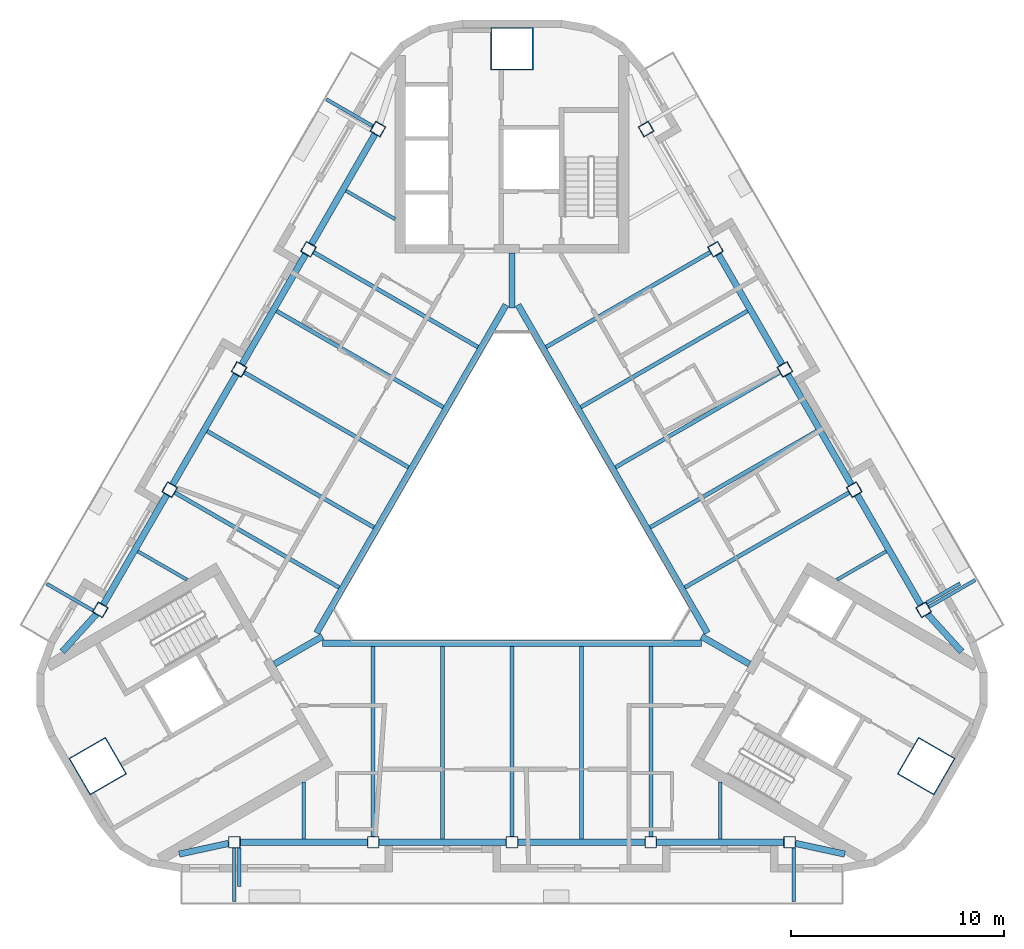
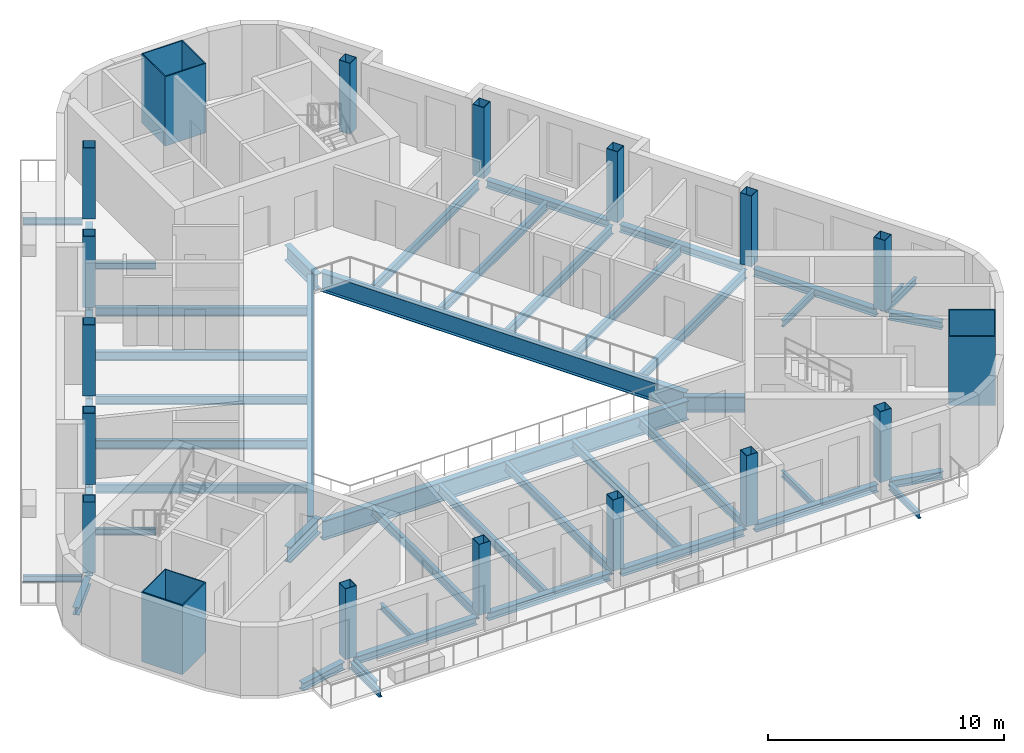
# One storey, part 1 of 11: 48 beams, 18 columns.
"""IFC4 building model written with IfcOpenShell, lengths in metres."""

from ifc_helpers import new_model, si_unit, direction, frame, origin, origin_2d, place, context, subcontext, project, spatial, rectangle, hollow_rectangle, i_section, extrude, boolean, halfspace, material, material_profile, profile_set, type_object, element, save


model = new_model("IFC4")

# Units and contexts
model_context = context("Model", 3, precision=1e-05, world=origin(), true_north=direction((0.0, 1.0)))
body_context = subcontext(model_context, "Body", "Model", "MODEL_VIEW")
ifc_project = project(units=[si_unit("LENGTHUNIT", "METRE"), si_unit("AREAUNIT", "SQUARE_METRE"), si_unit("VOLUMEUNIT", "CUBIC_METRE"), si_unit("PLANEANGLEUNIT", "RADIAN"), si_unit("MASSUNIT", "GRAM", prefix="KILO")], contexts=[model_context])

# Site, building, storey
site_placement = place(None, origin())
site = spatial("IfcSite", under=ifc_project, at=site_placement, CompositionType="ELEMENT")
building_placement = place(site_placement, origin())
building = spatial("IfcBuilding", under=site, at=building_placement, Name="Apuvela Tower Hotel", CompositionType="ELEMENT")
storey_placement = place(building_placement, frame((0.0, 0.0, 317.0)))
storey = spatial("IfcBuildingStorey", under=building, at=storey_placement, Name="L79", CompositionType="ELEMENT", Elevation=317.0)

# Columns
ifc_material_1 = material(Name="Steel S460", Category="steel")
ifc_material_profile_1 = material_profile(ifc_material_1, hollow_rectangle(XDim=2.0, YDim=2.0, WallThickness=0.050048828125, at=origin_2d()), Name="BOX 2000x2000x50")
ifc_material_2 = material(Name="Concrete C80/95", Category="concrete")
ifc_material_profile_2 = material_profile(ifc_material_2, rectangle(XDim=1.89990234375, YDim=1.89990234375, at=origin_2d()), Name="Concrete C80/95 infill")
ifc_profile_set_1 = profile_set([ifc_material_profile_1, ifc_material_profile_2], Name="Steel S460")
column_type_1 = type_object("IfcColumnType", Name="STR-MC mega column BOX 2000x2000x50", PredefinedType="COLUMN", material=ifc_profile_set_1)
for number, where, z_axis, x_axis, name in (
    (1, (0.0, 22.507568359375, 0.0), (0.0, 0.0, 1.0), (1.0, 0.0, 0.0), "Mega column MC4 N"),
    (2, (-19.4921875, -11.25390625, 0.0), (0.0, 0.0, 1.0), (-0.5, 0.866025403784, 0.0), "Mega column MC4 SW"),
    (3, (19.4921875, -11.25390625, 0.0), (0.0, 0.0, 1.0), (0.5, 0.866025403784, 0.0), "Mega column MC4 SE"),
):
    element("IfcColumn", number, at=place(storey_placement, frame(where, z_axis=z_axis, x_axis=x_axis)), inside=storey, type_object=column_type_1, Name=name, PredefinedType="COLUMN", context=body_context, shape_type="SweptSolid", body=[
        boolean("DIFFERENCE", extrude(hollow_rectangle(XDim=2.0, YDim=2.0, WallThickness=0.050048828125, at=origin_2d()), origin(), (0.0, 0.0, 1.0), 3.699951171875), halfspace(frame((0.0, 0.0, 3.586669921875), z_axis=(0.0, 0.0, 1.0), x_axis=(1.0, 0.0, 0.0)), False)),
    ])
ifc_material_profile_3 = material_profile(ifc_material_1, hollow_rectangle(XDim=0.550048828125, YDim=0.550048828125, WallThickness=0.02490234375, at=origin_2d()), Name="BOX 550x550x25")
ifc_material_profile_4 = material_profile(ifc_material_2, rectangle(XDim=0.5, YDim=0.5, at=origin_2d()), Name="Concrete C80/95 infill")
ifc_profile_set_2 = profile_set([ifc_material_profile_3, ifc_material_profile_4], Name="Steel S460")
column_type_2 = type_object("IfcColumnType", Name="STR-PC perimeter column BOX 550x550x25", PredefinedType="COLUMN", material=ifc_profile_set_2)
column_1_placement = place(storey_placement, frame((-13.061279296875, -14.827392578125, 0.0), z_axis=(0.0, 0.0, 1.0), x_axis=(-1.0, 0.0, 0.0)))
element("IfcColumn", 4, at=column_1_placement, inside=storey, type_object=column_type_2, Name="Perimeter column C7 S1", PredefinedType="COLUMN", context=body_context, shape_type="SweptSolid", body=[
    boolean("DIFFERENCE", extrude(hollow_rectangle(XDim=0.550048828125, YDim=0.550048828125, WallThickness=0.02490234375, at=origin_2d()), origin(), (0.0, 0.0, 1.0), 3.699951171875), halfspace(frame((0.0, 0.0, 3.66015625), z_axis=(0.0, 0.0, 1.0), x_axis=(1.0, 0.0, 0.0)), False)),
])
column_2_placement = place(storey_placement, frame((-6.53076171875, -14.827392578125, 0.0), z_axis=(0.0, 0.0, 1.0), x_axis=(-1.0, 0.0, 0.0)))
element("IfcColumn", 5, at=column_2_placement, inside=storey, type_object=column_type_2, Name="Perimeter column C7 S2", PredefinedType="COLUMN", context=body_context, shape_type="SweptSolid", body=[
    boolean("DIFFERENCE", extrude(hollow_rectangle(XDim=0.550048828125, YDim=0.550048828125, WallThickness=0.02490234375, at=origin_2d()), origin(), (0.0, 0.0, 1.0), 3.699951171875), halfspace(frame((0.0, 0.0, 3.666015625), z_axis=(0.0, 0.0, 1.0), x_axis=(1.0, 0.0, 0.0)), False)),
])
column_3_placement = place(storey_placement, frame((0.0, -14.827392578125, 0.0), z_axis=(0.0, 0.0, 1.0), x_axis=(-1.0, 0.0, 0.0)))
element("IfcColumn", 6, at=column_3_placement, inside=storey, type_object=column_type_2, Name="Perimeter column C7 S3", PredefinedType="COLUMN", context=body_context, shape_type="SweptSolid", body=[
    boolean("DIFFERENCE", extrude(hollow_rectangle(XDim=0.550048828125, YDim=0.550048828125, WallThickness=0.02490234375, at=origin_2d()), origin(), (0.0, 0.0, 1.0), 3.699951171875), halfspace(frame((0.0, 0.0, 3.66845703125), z_axis=(0.0, 0.0, 1.0), x_axis=(1.0, 0.0, 0.0)), False)),
])
column_4_placement = place(storey_placement, frame((6.53076171875, -14.827392578125, 0.0), z_axis=(0.0, 0.0, 1.0), x_axis=(-1.0, 0.0, 0.0)))
element("IfcColumn", 7, at=column_4_placement, inside=storey, type_object=column_type_2, Name="Perimeter column C7 S4", PredefinedType="COLUMN", context=body_context, shape_type="SweptSolid", body=[
    boolean("DIFFERENCE", extrude(hollow_rectangle(XDim=0.550048828125, YDim=0.550048828125, WallThickness=0.02490234375, at=origin_2d()), origin(), (0.0, 0.0, 1.0), 3.699951171875), halfspace(frame((0.0, 0.0, 3.666015625), z_axis=(0.0, 0.0, 1.0), x_axis=(1.0, 0.0, 0.0)), False)),
])
for number, where, z_axis, x_axis, name in (
    (8, (13.061279296875, -14.827392578125, 0.0), (0.0, 0.0, 1.0), (-1.0, 0.0, 0.0), "Perimeter column C7 S5"),
    (9, (19.37158203125, -3.897705078125, 0.0), (0.0, 0.0, 1.0), (-0.5, 0.866025403784, 0.0), "Perimeter column C7 NE1"),
):
    element("IfcColumn", number, at=place(storey_placement, frame(where, z_axis=z_axis, x_axis=x_axis)), inside=storey, type_object=column_type_2, Name=name, PredefinedType="COLUMN", context=body_context, shape_type="SweptSolid", body=[
        boolean("DIFFERENCE", extrude(hollow_rectangle(XDim=0.550048828125, YDim=0.550048828125, WallThickness=0.02490234375, at=origin_2d()), origin(), (0.0, 0.0, 1.0), 3.699951171875), halfspace(frame((0.0, 0.0, 3.66015625), z_axis=(0.0, 0.0, 1.0), x_axis=(1.0, 0.0, 0.0)), False)),
    ])
column_5_placement = place(storey_placement, frame((16.106201171875, 1.758056640625, 0.0), z_axis=(0.0, 0.0, 1.0), x_axis=(-0.5, 0.866025403784, 0.0)))
element("IfcColumn", 10, at=column_5_placement, inside=storey, type_object=column_type_2, Name="Perimeter column C7 NE2", PredefinedType="COLUMN", context=body_context, shape_type="SweptSolid", body=[
    boolean("DIFFERENCE", extrude(hollow_rectangle(XDim=0.550048828125, YDim=0.550048828125, WallThickness=0.02490234375, at=origin_2d()), origin(), (0.0, 0.0, 1.0), 3.699951171875), halfspace(frame((0.0, 0.0, 3.666015625), z_axis=(0.0, 0.0, 1.0), x_axis=(1.0, 0.0, 0.0)), False)),
])
column_6_placement = place(storey_placement, frame((12.841064453125, 7.413818359375, 0.0), z_axis=(0.0, 0.0, 1.0), x_axis=(-0.5, 0.866025403784, 0.0)))
element("IfcColumn", 11, at=column_6_placement, inside=storey, type_object=column_type_2, Name="Perimeter column C7 NE3", PredefinedType="COLUMN", context=body_context, shape_type="SweptSolid", body=[
    boolean("DIFFERENCE", extrude(hollow_rectangle(XDim=0.550048828125, YDim=0.550048828125, WallThickness=0.02490234375, at=origin_2d()), origin(), (0.0, 0.0, 1.0), 3.699951171875), halfspace(frame((0.0, 0.0, 3.66845703125), z_axis=(0.0, 0.0, 1.0), x_axis=(1.0, 0.0, 0.0)), False)),
])
column_7_placement = place(storey_placement, frame((9.57568359375, 13.069580078125, 0.0), z_axis=(0.0, 0.0, 1.0), x_axis=(-0.5, 0.866025403784, 0.0)))
element("IfcColumn", 12, at=column_7_placement, inside=storey, type_object=column_type_2, Name="Perimeter column C7 NE4", PredefinedType="COLUMN", context=body_context, shape_type="SweptSolid", body=[
    boolean("DIFFERENCE", extrude(hollow_rectangle(XDim=0.550048828125, YDim=0.550048828125, WallThickness=0.02490234375, at=origin_2d()), origin(), (0.0, 0.0, 1.0), 3.699951171875), halfspace(frame((0.0, 0.0, 3.666015625), z_axis=(0.0, 0.0, 1.0), x_axis=(1.0, 0.0, 0.0)), False)),
])
for number, where, z_axis, x_axis, name in (
    (13, (6.310302734375, 18.72509765625, 0.0), (0.0, 0.0, 1.0), (-0.5, 0.866025403784, 0.0), "Perimeter column C7 NE5"),
    (14, (-6.310302734375, 18.72509765625, 0.0), (0.0, 0.0, 1.0), (0.5, 0.866025403784, 0.0), "Perimeter column C7 NW1"),
):
    element("IfcColumn", number, at=place(storey_placement, frame(where, z_axis=z_axis, x_axis=x_axis)), inside=storey, type_object=column_type_2, Name=name, PredefinedType="COLUMN", context=body_context, shape_type="SweptSolid", body=[
        boolean("DIFFERENCE", extrude(hollow_rectangle(XDim=0.550048828125, YDim=0.550048828125, WallThickness=0.02490234375, at=origin_2d()), origin(), (0.0, 0.0, 1.0), 3.699951171875), halfspace(frame((0.0, 0.0, 3.66015625), z_axis=(0.0, 0.0, 1.0), x_axis=(1.0, 0.0, 0.0)), False)),
    ])
column_8_placement = place(storey_placement, frame((-9.57568359375, 13.069580078125, 0.0), z_axis=(0.0, 0.0, 1.0), x_axis=(0.5, 0.866025403784, 0.0)))
element("IfcColumn", 15, at=column_8_placement, inside=storey, type_object=column_type_2, Name="Perimeter column C7 NW2", PredefinedType="COLUMN", context=body_context, shape_type="SweptSolid", body=[
    boolean("DIFFERENCE", extrude(hollow_rectangle(XDim=0.550048828125, YDim=0.550048828125, WallThickness=0.02490234375, at=origin_2d()), origin(), (0.0, 0.0, 1.0), 3.699951171875), halfspace(frame((0.0, 0.0, 3.666015625), z_axis=(0.0, 0.0, 1.0), x_axis=(1.0, 0.0, 0.0)), False)),
])
column_9_placement = place(storey_placement, frame((-12.841064453125, 7.413818359375, 0.0), z_axis=(0.0, 0.0, 1.0), x_axis=(0.5, 0.866025403784, 0.0)))
element("IfcColumn", 16, at=column_9_placement, inside=storey, type_object=column_type_2, Name="Perimeter column C7 NW3", PredefinedType="COLUMN", context=body_context, shape_type="SweptSolid", body=[
    boolean("DIFFERENCE", extrude(hollow_rectangle(XDim=0.550048828125, YDim=0.550048828125, WallThickness=0.02490234375, at=origin_2d()), origin(), (0.0, 0.0, 1.0), 3.699951171875), halfspace(frame((0.0, 0.0, 3.66845703125), z_axis=(0.0, 0.0, 1.0), x_axis=(1.0, 0.0, 0.0)), False)),
])
column_10_placement = place(storey_placement, frame((-16.106201171875, 1.758056640625, 0.0), z_axis=(0.0, 0.0, 1.0), x_axis=(0.5, 0.866025403784, 0.0)))
element("IfcColumn", 17, at=column_10_placement, inside=storey, type_object=column_type_2, Name="Perimeter column C7 NW4", PredefinedType="COLUMN", context=body_context, shape_type="SweptSolid", body=[
    boolean("DIFFERENCE", extrude(hollow_rectangle(XDim=0.550048828125, YDim=0.550048828125, WallThickness=0.02490234375, at=origin_2d()), origin(), (0.0, 0.0, 1.0), 3.699951171875), halfspace(frame((0.0, 0.0, 3.666015625), z_axis=(0.0, 0.0, 1.0), x_axis=(1.0, 0.0, 0.0)), False)),
])
column_11_placement = place(storey_placement, frame((-19.37158203125, -3.897705078125, 0.0), z_axis=(0.0, 0.0, 1.0), x_axis=(0.5, 0.866025403784, 0.0)))
element("IfcColumn", 18, at=column_11_placement, inside=storey, type_object=column_type_2, Name="Perimeter column C7 NW5", PredefinedType="COLUMN", context=body_context, shape_type="SweptSolid", body=[
    boolean("DIFFERENCE", extrude(hollow_rectangle(XDim=0.550048828125, YDim=0.550048828125, WallThickness=0.02490234375, at=origin_2d()), origin(), (0.0, 0.0, 1.0), 3.699951171875), halfspace(frame((0.0, 0.0, 3.66015625), z_axis=(0.0, 0.0, 1.0), x_axis=(1.0, 0.0, 0.0)), False)),
])

# Beams
ifc_material_3 = material(Name="Steel S355", Category="steel")
ifc_material_profile_5 = material_profile(ifc_material_3, i_section(OverallWidth=0.159912109375, OverallDepth=0.330078125, WebThickness=0.007568359375, FlangeThickness=0.011474609375, at=origin_2d()), Name="IPE 330")
ifc_profile_set_3 = profile_set([ifc_material_profile_5], Name="Steel S355")
beam_type_1 = type_object("IfcBeamType", Name="ENV-BALCONY-BEAM-IPE330", PredefinedType="BEAM", material=ifc_profile_set_3)
beam_1_placement = place(storey_placement, frame((-13.061279296875, -15.1025390625, -0.31494140625), z_axis=(0.0, -1.0, 0.0), x_axis=(1.0, 0.0, 0.0)))
element("IfcBeam", 19, at=beam_1_placement, inside=storey, type_object=beam_type_1, Name="Balcony cantilever beam S1 L79", PredefinedType="BEAM", context=body_context, shape_type="SweptSolid", body=[
    extrude(i_section(OverallWidth=0.159912109375, OverallDepth=0.330078125, WebThickness=0.007568359375, FlangeThickness=0.011474609375, at=origin_2d()), origin(), (0.0, 0.0, 1.0), 2.52490234375),
])
beam_2_placement = place(storey_placement, frame((-12.84130859375, -15.1025390625, -0.31494140625), z_axis=(0.0, -1.0, 0.0), x_axis=(1.0, 0.0, 0.0)))
element("IfcBeam", 20, at=beam_2_placement, inside=storey, type_object=beam_type_1, Name="Balcony cantilever beam S2 L79", PredefinedType="BEAM", context=body_context, shape_type="SweptSolid", body=[
    extrude(i_section(OverallWidth=0.159912109375, OverallDepth=0.330078125, WebThickness=0.007568359375, FlangeThickness=0.011474609375, at=origin_2d()), origin(), (0.0, 0.0, 1.0), 1.824951171875),
])
for number, where, z_axis, x_axis, name in (
    (21, (13.26123046875, -15.1025390625, -0.31494140625), (0.0, -1.0, 0.0), (1.0, 0.0, 0.0), "Balcony cantilever beam S3 L79"),
    (22, (19.60986328125, -3.76025390625, -0.31494140625), (0.866014894461, 0.50001820224, 0.0), (-0.50001820224, 0.866014894461, 0.0), "Balcony cantilever beam NE1 L79"),
):
    element("IfcBeam", number, at=place(storey_placement, frame(where, z_axis=z_axis, x_axis=x_axis)), inside=storey, type_object=beam_type_1, Name=name, PredefinedType="BEAM", context=body_context, shape_type="SweptSolid", body=[
        extrude(i_section(OverallWidth=0.159912109375, OverallDepth=0.330078125, WebThickness=0.007568359375, FlangeThickness=0.011474609375, at=origin_2d()), origin(), (0.0, 0.0, 1.0), 2.52490234375),
    ])
beam_3_placement = place(storey_placement, frame((19.499755859375, -3.569580078125, -0.31494140625), z_axis=(0.866069751741, 0.499923179218, 0.0), x_axis=(-0.499923179218, 0.866069751741, 0.0)))
element("IfcBeam", 23, at=beam_3_placement, inside=storey, type_object=beam_type_1, Name="Balcony cantilever beam NE2 L79", PredefinedType="BEAM", context=body_context, shape_type="SweptSolid", body=[
    extrude(i_section(OverallWidth=0.159912109375, OverallDepth=0.330078125, WebThickness=0.007568359375, FlangeThickness=0.011474609375, at=origin_2d()), origin(), (0.0, 0.0, 1.0), 1.824951171875),
])
for number, where, z_axis, x_axis, name in (
    (24, (-6.548583984375, 18.86279296875, -0.31494140625), (-0.866014894461, 0.50001820224, 0.0), (-0.50001820224, -0.866014894461, 0.0), "Balcony cantilever beam NW1 L79"),
    (25, (-19.709716796875, -3.933349609375, -0.31494140625), (-0.866039067339, 0.499976333282, 0.0), (-0.499976333282, -0.866039067339, 0.0), "Balcony cantilever beam NW3 L79"),
):
    element("IfcBeam", number, at=place(storey_placement, frame(where, z_axis=z_axis, x_axis=x_axis)), inside=storey, type_object=beam_type_1, Name=name, PredefinedType="BEAM", context=body_context, shape_type="SweptSolid", body=[
        extrude(i_section(OverallWidth=0.159912109375, OverallDepth=0.330078125, WebThickness=0.007568359375, FlangeThickness=0.011474609375, at=origin_2d()), origin(), (0.0, 0.0, 1.0), 2.52490234375),
    ])
ifc_material_profile_6 = material_profile(ifc_material_3, i_section(OverallWidth=0.159912109375, OverallDepth=0.330078125, WebThickness=0.007568359375, FlangeThickness=0.011474609375, at=origin_2d()), Name="IPE 330")
ifc_profile_set_4 = profile_set([ifc_material_profile_6], Name="Steel S355")
beam_type_2 = type_object("IfcBeamType", Name="STR-B floor beam IPE 330", PredefinedType="BEAM", material=ifc_profile_set_4)
for number, where, z_axis, x_axis, name in (
    (26, (17.609130859375, -1.14501953125, -0.31494140625), (-0.866080565638, -0.499904444694, 0.0), (0.499904444694, -0.866080565638, 0.0), "Floor beam B1 NE2"),
    (27, (-7.81298828125, 15.822265625, -0.31494140625), (0.866018138487, -0.500012583653, 0.0), (0.500012583653, 0.866018138487, 0.0), "Floor beam B1 NW2"),
    (28, (-17.609130859375, -1.14501953125, -0.31494140625), (0.866080565638, -0.499904444694, 0.0), (0.499904444694, 0.866080565638, 0.0), "Floor beam B1 NW8"),
    (29, (-9.7958984375, -14.677490234375, -0.31494140625), (0.0, 1.0, 0.0), (-1.0, 0.0, 0.0), "Floor beam B1 S2"),
    (30, (9.7958984375, -14.677490234375, -0.31494140625), (0.0, 1.0, 0.0), (-1.0, 0.0, 0.0), "Floor beam B1 S8"),
):
    element("IfcBeam", number, at=place(storey_placement, frame(where, z_axis=z_axis, x_axis=x_axis)), inside=storey, type_object=beam_type_2, Name=name, PredefinedType="BEAM", context=body_context, shape_type="SweptSolid", body=[
        extrude(i_section(OverallWidth=0.159912109375, OverallDepth=0.330078125, WebThickness=0.007568359375, FlangeThickness=0.011474609375, at=origin_2d()), origin(), (0.0, 0.0, 1.0), 2.6708984375),
    ])
ifc_material_profile_7 = material_profile(ifc_material_3, i_section(OverallWidth=0.18994140625, OverallDepth=0.449951171875, WebThickness=0.009521484375, FlangeThickness=0.0146484375, at=origin_2d()), Name="IPE 450")
ifc_profile_set_5 = profile_set([ifc_material_profile_7], Name="Steel S355")
beam_type_3 = type_object("IfcBeamType", Name="STR-B floor beam IPE 450", PredefinedType="BEAM", material=ifc_profile_set_5)
beam_4_placement = place(storey_placement, frame((15.8681640625, 1.62060546875, -0.375), z_axis=(-0.866024464444, -0.500001626982, 0.0), x_axis=(0.500001626982, -0.866024464444, 0.0)))
element("IfcBeam", 31, at=beam_4_placement, inside=storey, type_object=beam_type_3, Name="Floor beam B9 NE3", PredefinedType="BEAM", context=body_context, shape_type="SweptSolid", body=[
    extrude(i_section(OverallWidth=0.18994140625, OverallDepth=0.449951171875, WebThickness=0.009521484375, FlangeThickness=0.0146484375, at=origin_2d()), origin(), (0.0, 0.0, 1.0), 8.9326171875),
])
beam_5_placement = place(storey_placement, frame((14.34375, 4.510986328125, -0.375), z_axis=(-0.866021748187, -0.500006331628, 0.0), x_axis=(0.500006331628, -0.866021748187, 0.0)))
element("IfcBeam", 32, at=beam_5_placement, inside=storey, type_object=beam_type_3, Name="Floor beam B9 NE4", PredefinedType="BEAM", context=body_context, shape_type="SweptSolid", body=[
    extrude(i_section(OverallWidth=0.18994140625, OverallDepth=0.449951171875, WebThickness=0.009521484375, FlangeThickness=0.0146484375, at=origin_2d()), origin(), (0.0, 0.0, 1.0), 9.0576171875),
])
beam_6_placement = place(storey_placement, frame((12.602783203125, 7.276123046875, -0.375), z_axis=(-0.866029466572, -0.499992962979, 0.0), x_axis=(0.499992962979, -0.866029466572, 0.0)))
element("IfcBeam", 33, at=beam_6_placement, inside=storey, type_object=beam_type_3, Name="Floor beam B9 NE5", PredefinedType="BEAM", context=body_context, shape_type="SweptSolid", body=[
    extrude(i_section(OverallWidth=0.18994140625, OverallDepth=0.449951171875, WebThickness=0.009521484375, FlangeThickness=0.0146484375, at=origin_2d()), origin(), (0.0, 0.0, 1.0), 8.932373046875),
])
beam_7_placement = place(storey_placement, frame((11.078369140625, 10.16650390625, -0.375), z_axis=(-0.866033419856, -0.4999861155, 0.0), x_axis=(0.4999861155, -0.866033419856, 0.0)))
element("IfcBeam", 34, at=beam_7_placement, inside=storey, type_object=beam_type_3, Name="Floor beam B9 NE6", PredefinedType="BEAM", context=body_context, shape_type="SweptSolid", body=[
    extrude(i_section(OverallWidth=0.18994140625, OverallDepth=0.449951171875, WebThickness=0.009521484375, FlangeThickness=0.0146484375, at=origin_2d()), origin(), (0.0, 0.0, 1.0), 9.057373046875),
])
for number, where, z_axis, x_axis, name in (
    (35, (9.33740234375, 12.931884765625, -0.375), (-0.866029466572, -0.499992962979, 0.0), (0.499992962979, -0.866029466572, 0.0), "Floor beam B9 NE7"),
    (36, (-9.33740234375, 12.931884765625, -0.375), (0.866029466572, -0.499992962979, 0.0), (0.499992962979, 0.866029466572, 0.0), "Floor beam B9 NW3"),
):
    element("IfcBeam", number, at=place(storey_placement, frame(where, z_axis=z_axis, x_axis=x_axis)), inside=storey, type_object=beam_type_3, Name=name, PredefinedType="BEAM", context=body_context, shape_type="SweptSolid", body=[
        extrude(i_section(OverallWidth=0.18994140625, OverallDepth=0.449951171875, WebThickness=0.009521484375, FlangeThickness=0.0146484375, at=origin_2d()), origin(), (0.0, 0.0, 1.0), 8.932373046875),
    ])
beam_8_placement = place(storey_placement, frame((-11.078369140625, 10.16650390625, -0.375), z_axis=(0.866033419856, -0.4999861155, 0.0), x_axis=(0.4999861155, 0.866033419856, 0.0)))
element("IfcBeam", 37, at=beam_8_placement, inside=storey, type_object=beam_type_3, Name="Floor beam B9 NW4", PredefinedType="BEAM", context=body_context, shape_type="SweptSolid", body=[
    extrude(i_section(OverallWidth=0.18994140625, OverallDepth=0.449951171875, WebThickness=0.009521484375, FlangeThickness=0.0146484375, at=origin_2d()), origin(), (0.0, 0.0, 1.0), 9.057373046875),
])
beam_9_placement = place(storey_placement, frame((-12.602783203125, 7.276123046875, -0.375), z_axis=(0.866029466572, -0.499992962979, 0.0), x_axis=(0.499992962979, 0.866029466572, 0.0)))
element("IfcBeam", 38, at=beam_9_placement, inside=storey, type_object=beam_type_3, Name="Floor beam B9 NW5", PredefinedType="BEAM", context=body_context, shape_type="SweptSolid", body=[
    extrude(i_section(OverallWidth=0.18994140625, OverallDepth=0.449951171875, WebThickness=0.009521484375, FlangeThickness=0.0146484375, at=origin_2d()), origin(), (0.0, 0.0, 1.0), 8.932373046875),
])
beam_10_placement = place(storey_placement, frame((-14.34375, 4.510986328125, -0.375), z_axis=(0.866021748187, -0.500006331628, 0.0), x_axis=(0.500006331628, 0.866021748187, 0.0)))
element("IfcBeam", 39, at=beam_10_placement, inside=storey, type_object=beam_type_3, Name="Floor beam B9 NW6", PredefinedType="BEAM", context=body_context, shape_type="SweptSolid", body=[
    extrude(i_section(OverallWidth=0.18994140625, OverallDepth=0.449951171875, WebThickness=0.009521484375, FlangeThickness=0.0146484375, at=origin_2d()), origin(), (0.0, 0.0, 1.0), 9.0576171875),
])
beam_11_placement = place(storey_placement, frame((-15.8681640625, 1.62060546875, -0.375), z_axis=(0.866024464444, -0.500001626982, 0.0), x_axis=(0.500001626982, 0.866024464444, 0.0)))
element("IfcBeam", 40, at=beam_11_placement, inside=storey, type_object=beam_type_3, Name="Floor beam B9 NW7", PredefinedType="BEAM", context=body_context, shape_type="SweptSolid", body=[
    extrude(i_section(OverallWidth=0.18994140625, OverallDepth=0.449951171875, WebThickness=0.009521484375, FlangeThickness=0.0146484375, at=origin_2d()), origin(), (0.0, 0.0, 1.0), 8.9326171875),
])
beam_12_placement = place(storey_placement, frame((-6.53076171875, -14.552490234375, -0.375), z_axis=(0.0, 1.0, 0.0), x_axis=(-1.0, 0.0, 0.0)))
element("IfcBeam", 41, at=beam_12_placement, inside=storey, type_object=beam_type_3, Name="Floor beam B9 S3", PredefinedType="BEAM", context=body_context, shape_type="SweptSolid", body=[
    extrude(i_section(OverallWidth=0.18994140625, OverallDepth=0.449951171875, WebThickness=0.009521484375, FlangeThickness=0.0146484375, at=origin_2d()), origin(), (0.0, 0.0, 1.0), 8.932373046875),
])
beam_13_placement = place(storey_placement, frame((-3.265380859375, -14.677490234375, -0.375), z_axis=(0.0, 1.0, 0.0), x_axis=(-1.0, 0.0, 0.0)))
element("IfcBeam", 42, at=beam_13_placement, inside=storey, type_object=beam_type_3, Name="Floor beam B9 S4", PredefinedType="BEAM", context=body_context, shape_type="SweptSolid", body=[
    extrude(i_section(OverallWidth=0.18994140625, OverallDepth=0.449951171875, WebThickness=0.009521484375, FlangeThickness=0.0146484375, at=origin_2d()), origin(), (0.0, 0.0, 1.0), 9.057373046875),
])
beam_14_placement = place(storey_placement, frame((0.0, -14.552490234375, -0.375), z_axis=(0.0, 1.0, 0.0), x_axis=(-1.0, 0.0, 0.0)))
element("IfcBeam", 43, at=beam_14_placement, inside=storey, type_object=beam_type_3, Name="Floor beam B9 S5", PredefinedType="BEAM", context=body_context, shape_type="SweptSolid", body=[
    extrude(i_section(OverallWidth=0.18994140625, OverallDepth=0.449951171875, WebThickness=0.009521484375, FlangeThickness=0.0146484375, at=origin_2d()), origin(), (0.0, 0.0, 1.0), 8.932373046875),
])
beam_15_placement = place(storey_placement, frame((3.265380859375, -14.677490234375, -0.375), z_axis=(0.0, 1.0, 0.0), x_axis=(-1.0, 0.0, 0.0)))
element("IfcBeam", 44, at=beam_15_placement, inside=storey, type_object=beam_type_3, Name="Floor beam B9 S6", PredefinedType="BEAM", context=body_context, shape_type="SweptSolid", body=[
    extrude(i_section(OverallWidth=0.18994140625, OverallDepth=0.449951171875, WebThickness=0.009521484375, FlangeThickness=0.0146484375, at=origin_2d()), origin(), (0.0, 0.0, 1.0), 9.057373046875),
])
beam_16_placement = place(storey_placement, frame((6.53076171875, -14.552490234375, -0.375), z_axis=(0.0, 1.0, 0.0), x_axis=(-1.0, 0.0, 0.0)))
element("IfcBeam", 45, at=beam_16_placement, inside=storey, type_object=beam_type_3, Name="Floor beam B9 S7", PredefinedType="BEAM", context=body_context, shape_type="SweptSolid", body=[
    extrude(i_section(OverallWidth=0.18994140625, OverallDepth=0.449951171875, WebThickness=0.009521484375, FlangeThickness=0.0146484375, at=origin_2d()), origin(), (0.0, 0.0, 1.0), 8.932373046875),
])
ifc_material_profile_8 = material_profile(ifc_material_3, i_section(OverallWidth=0.300048828125, OverallDepth=0.989990234375, WebThickness=0.0166015625, FlangeThickness=0.031005859375, at=origin_2d()), Name="HE 1000 A")
ifc_profile_set_6 = profile_set([ifc_material_profile_8], Name="Steel S355")
beam_type_4 = type_object("IfcBeamType", Name="STR-G atrium ring girder HE 1000 A", PredefinedType="BEAM", material=ifc_profile_set_6)
beam_17_placement = place(storey_placement, frame((-0.27978515625, 10.455078125, -0.64501953125), z_axis=(-0.500006541319, -0.866021627119, 0.0), x_axis=(0.866021627119, -0.500006541319, 0.0)))
element("IfcBeam", 46, at=beam_17_placement, inside=storey, type_object=beam_type_4, Name="Atrium ring girder G3 N-SW", PredefinedType="BEAM", context=body_context, shape_type="SweptSolid", body=[
    extrude(i_section(OverallWidth=0.300048828125, OverallDepth=0.989990234375, WebThickness=0.0166015625, FlangeThickness=0.031005859375, at=origin_2d()), origin(), (0.0, 0.0, 1.0), 17.828857421875),
])
beam_18_placement = place(storey_placement, frame((-8.91455078125, -5.469970703125, -0.64501953125), z_axis=(1.0, 0.0, 0.0), x_axis=(0.0, 1.0, 0.0)))
element("IfcBeam", 47, at=beam_18_placement, inside=storey, type_object=beam_type_4, Name="Atrium ring girder G3 SW-SE", PredefinedType="BEAM", context=body_context, shape_type="SweptSolid", body=[
    extrude(i_section(OverallWidth=0.300048828125, OverallDepth=0.989990234375, WebThickness=0.0166015625, FlangeThickness=0.031005859375, at=origin_2d()), origin(), (0.0, 0.0, 1.0), 17.8291015625),
])
beam_19_placement = place(storey_placement, frame((9.1943359375, -4.985107421875, -0.64501953125), z_axis=(-0.500006541319, 0.866021627119, 0.0), x_axis=(-0.866021627119, -0.500006541319, 0.0)))
element("IfcBeam", 48, at=beam_19_placement, inside=storey, type_object=beam_type_4, Name="Atrium ring girder G3 SE-N", PredefinedType="BEAM", context=body_context, shape_type="SweptSolid", body=[
    extrude(i_section(OverallWidth=0.300048828125, OverallDepth=0.989990234375, WebThickness=0.0166015625, FlangeThickness=0.031005859375, at=origin_2d()), origin(), (0.0, 0.0, 1.0), 17.828857421875),
])
ifc_material_profile_9 = material_profile(ifc_material_3, i_section(OverallWidth=0.300048828125, OverallDepth=0.800048828125, WebThickness=0.017578125, FlangeThickness=0.032958984375, at=origin_2d()), Name="HE 800 B")
ifc_profile_set_7 = profile_set([ifc_material_profile_9], Name="Steel S355")
beam_type_5 = type_object("IfcBeamType", Name="STR-GT core tie beam HE 800 B", PredefinedType="BEAM", material=ifc_profile_set_7)
for number, where, z_axis, x_axis, name in (
    (49, (0.0, 12.89990234375, -0.550048828125), (0.0, -1.0, 0.0), (1.0, 0.0, 0.0), "Core tie beam GT1 N"),
    (50, (-11.171630859375, -6.449951171875, -0.550048828125), (0.865997922154, 0.500047596559, 0.0), (-0.500047596559, 0.865997922154, 0.0), "Core tie beam GT1 SW"),
    (51, (11.171630859375, -6.449951171875, -0.550048828125), (-0.865997922154, 0.500047596559, 0.0), (-0.500047596559, -0.865997922154, 0.0), "Core tie beam GT1 SE"),
):
    element("IfcBeam", number, at=place(storey_placement, frame(where, z_axis=z_axis, x_axis=x_axis)), inside=storey, type_object=beam_type_5, Name=name, PredefinedType="BEAM", context=body_context, shape_type="SweptSolid", body=[
        extrude(i_section(OverallWidth=0.300048828125, OverallDepth=0.800048828125, WebThickness=0.017578125, FlangeThickness=0.032958984375, at=origin_2d()), origin(), (0.0, 0.0, 1.0), 2.599853515625),
    ])
ifc_material_profile_10 = material_profile(ifc_material_3, i_section(OverallWidth=0.300048828125, OverallDepth=0.389892578125, WebThickness=0.010986328125, FlangeThickness=0.01904296875, at=origin_2d()), Name="HE 400 A")
ifc_profile_set_8 = profile_set([ifc_material_profile_10], Name="Steel S355")
beam_type_6 = type_object("IfcBeamType", Name="STR-SB spandrel beam HE 400 A", PredefinedType="SPANDREL", material=ifc_profile_set_8)
for number, where, z_axis, x_axis, name in (
    (52, (-12.786376953125, -14.827392578125, -0.344970703125), (1.0, 0.0, 0.0), (0.0, 1.0, 0.0), "Spandrel beam SB4 S1"),
    (53, (-6.255615234375, -14.827392578125, -0.344970703125), (1.0, 0.0, 0.0), (0.0, 1.0, 0.0), "Spandrel beam SB4 S2"),
    (54, (0.27490234375, -14.827392578125, -0.344970703125), (1.0, 0.0, 0.0), (0.0, 1.0, 0.0), "Spandrel beam SB4 S3"),
    (55, (6.8056640625, -14.827392578125, -0.344970703125), (1.0, 0.0, 0.0), (0.0, 1.0, 0.0), "Spandrel beam SB4 S4"),
):
    element("IfcBeam", number, at=place(storey_placement, frame(where, z_axis=z_axis, x_axis=x_axis)), inside=storey, type_object=beam_type_6, Name=name, PredefinedType="SPANDREL", context=body_context, shape_type="SweptSolid", body=[
        extrude(i_section(OverallWidth=0.300048828125, OverallDepth=0.389892578125, WebThickness=0.010986328125, FlangeThickness=0.01904296875, at=origin_2d()), origin(), (0.0, 0.0, 1.0), 5.980712890625),
    ])
beam_20_placement = place(storey_placement, frame((19.234130859375, -3.65966796875, -0.344970703125), z_axis=(-0.499967446111, 0.866044197965, 0.0), x_axis=(-0.866044197965, -0.499967446111, 0.0)))
element("IfcBeam", 56, at=beam_20_placement, inside=storey, type_object=beam_type_6, Name="Spandrel beam SB4 NE1", PredefinedType="SPANDREL", context=body_context, shape_type="SweptSolid", body=[
    extrude(i_section(OverallWidth=0.300048828125, OverallDepth=0.389892578125, WebThickness=0.010986328125, FlangeThickness=0.01904296875, at=origin_2d()), origin(), (0.0, 0.0, 1.0), 5.98095703125),
])
for number, where, z_axis, x_axis, name in (
    (57, (15.96875, 1.99609375, -0.344970703125), (-0.499985121587, 0.86603399367, 0.0), (-0.86603399367, -0.499985121587, 0.0), "Spandrel beam SB4 NE2"),
    (58, (12.70361328125, 7.65185546875, -0.344970703125), (-0.50001573759, 0.866016317492, 0.0), (-0.866016317492, -0.50001573759, 0.0), "Spandrel beam SB4 NE3"),
    (59, (-6.44775390625, 18.487060546875, -0.344970703125), (-0.499985121587, -0.86603399367, 0.0), (0.86603399367, -0.499985121587, 0.0), "Spandrel beam SB4 NW1"),
    (60, (-9.713134765625, 12.831298828125, -0.344970703125), (-0.50001573759, -0.866016317492, 0.0), (0.866016317492, -0.50001573759, 0.0), "Spandrel beam SB4 NW2"),
    (61, (-12.978515625, 7.175537109375, -0.344970703125), (-0.499985121587, -0.86603399367, 0.0), (0.86603399367, -0.499985121587, 0.0), "Spandrel beam SB4 NW3"),
):
    element("IfcBeam", number, at=place(storey_placement, frame(where, z_axis=z_axis, x_axis=x_axis)), inside=storey, type_object=beam_type_6, Name=name, PredefinedType="SPANDREL", context=body_context, shape_type="SweptSolid", body=[
        extrude(i_section(OverallWidth=0.300048828125, OverallDepth=0.389892578125, WebThickness=0.010986328125, FlangeThickness=0.01904296875, at=origin_2d()), origin(), (0.0, 0.0, 1.0), 5.980712890625),
    ])
beam_21_placement = place(storey_placement, frame((-16.243896484375, 1.52001953125, -0.344970703125), z_axis=(-0.499967446111, -0.866044197965, 0.0), x_axis=(0.866044197965, -0.499967446111, 0.0)))
element("IfcBeam", 62, at=beam_21_placement, inside=storey, type_object=beam_type_6, Name="Spandrel beam SB4 NW4", PredefinedType="SPANDREL", context=body_context, shape_type="SweptSolid", body=[
    extrude(i_section(OverallWidth=0.300048828125, OverallDepth=0.389892578125, WebThickness=0.010986328125, FlangeThickness=0.01904296875, at=origin_2d()), origin(), (0.0, 0.0, 1.0), 5.98095703125),
])
for number, where, z_axis, x_axis, name in (
    (63, (-13.336181640625, -14.88720703125, -0.344970703125), (-0.977217121855, -0.212242071123, 0.0), (0.212242071123, -0.977217121855, 0.0), "Spandrel beam SB4 S1-SW"),
    (64, (13.336181640625, -14.88720703125, -0.344970703125), (0.977217121855, -0.212242071123, 0.0), (0.212242071123, 0.977217121855, 0.0), "Spandrel beam SB4 S5-SE"),
    (65, (19.560791015625, -4.10595703125, -0.344970703125), (0.672463221776, -0.740130539404, 0.0), (0.740130539404, 0.672463221776, 0.0), "Spandrel beam SB4 NE1-SE"),
    (66, (-19.560791015625, -4.10595703125, -0.344970703125), (-0.672463221776, -0.740130539404, 0.0), (0.740130539404, -0.672463221776, 0.0), "Spandrel beam SB4 NW5-SW"),
):
    element("IfcBeam", number, at=place(storey_placement, frame(where, z_axis=z_axis, x_axis=x_axis)), inside=storey, type_object=beam_type_6, Name=name, PredefinedType="SPANDREL", context=body_context, shape_type="SweptSolid", body=[
        extrude(i_section(OverallWidth=0.300048828125, OverallDepth=0.389892578125, WebThickness=0.010986328125, FlangeThickness=0.01904296875, at=origin_2d()), origin(), (0.0, 0.0, 1.0), 2.377685546875),
    ])

save(model, "model.ifc")
